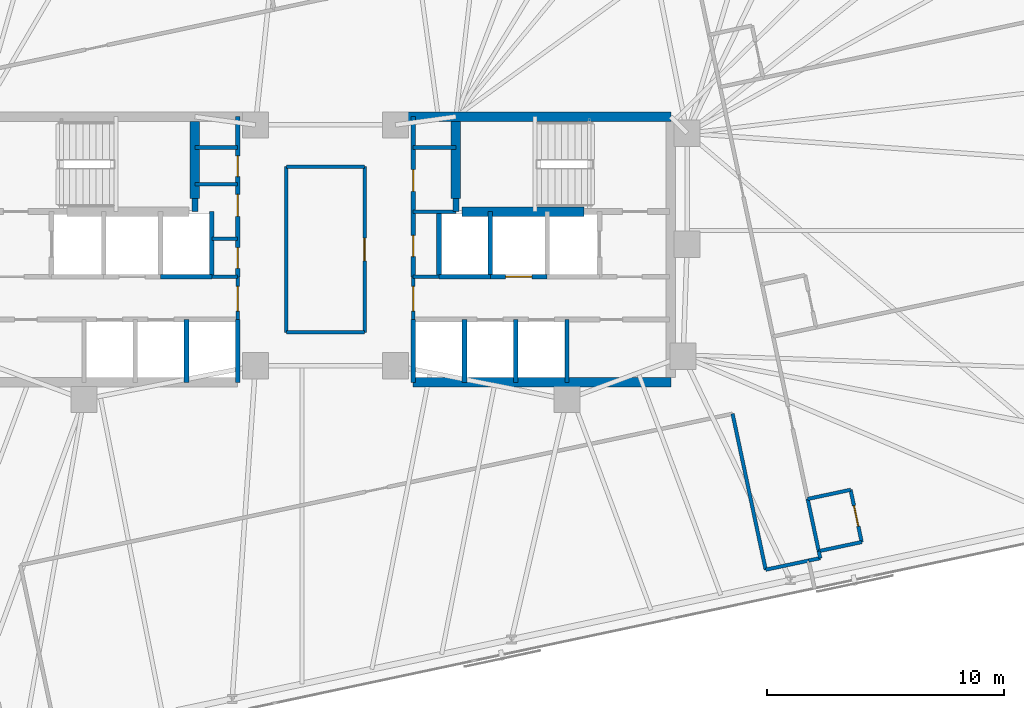
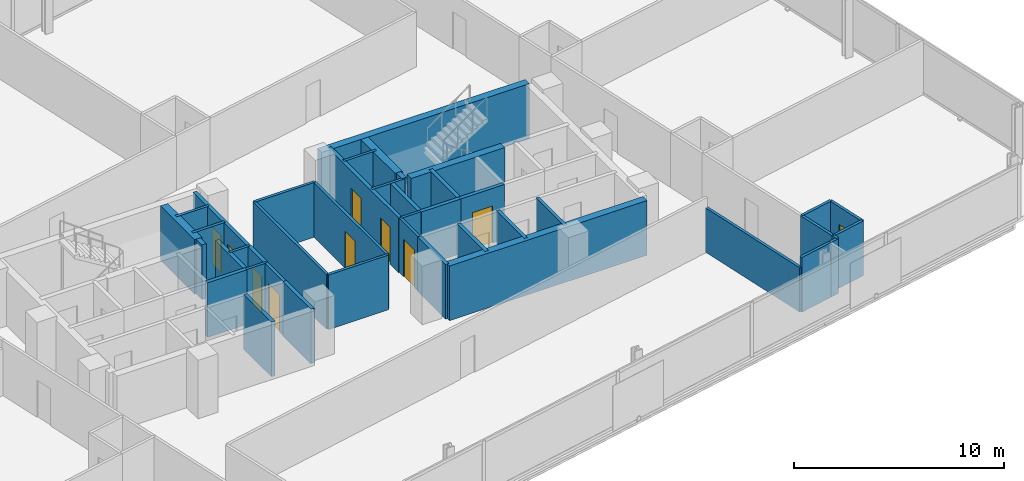
# One storey, part 15 of 19: 42 walls, 10 doors, 10 openings.
"""IFC4 building model written with IfcOpenShell, lengths in metres."""

from ifc_helpers import new_model, si_unit, direction, frame, frame_2d, origin, place, context, subcontext, project, spatial, rectangle, extrude, material, layer, layer_set, type_object, element, fill, save


model = new_model("IFC4")

# Units and contexts
model_context = context("Model", 3, precision=1e-05, world=origin(), true_north=direction((0.0, 1.0)))
body_context = subcontext(model_context, "Body", "Model", "MODEL_VIEW")
ifc_project = project(units=[si_unit("LENGTHUNIT", "METRE"), si_unit("AREAUNIT", "SQUARE_METRE"), si_unit("VOLUMEUNIT", "CUBIC_METRE"), si_unit("PLANEANGLEUNIT", "RADIAN"), si_unit("MASSUNIT", "GRAM", prefix="KILO")], contexts=[model_context])

# Site, building, storey
site_placement = place(None, origin())
site = spatial("IfcSite", under=ifc_project, at=site_placement, CompositionType="ELEMENT")
building_placement = place(site_placement, origin())
building = spatial("IfcBuilding", under=site, at=building_placement, Name="Menara Jurai Vektor", CompositionType="ELEMENT")
storey_placement = place(building_placement, frame((0.0, 0.0, 192.199951171875)))
storey = spatial("IfcBuildingStorey", under=building, at=storey_placement, Name="L50", CompositionType="ELEMENT", Elevation=192.199951171875)

# Walls
ifc_material_1 = material(Name="Concrete C40/50", Category="concrete")
ifc_layer_1 = layer(ifc_material_1, 0.25)
ifc_layer_set_1 = layer_set([ifc_layer_1], Name="Concrete C40/50")
wall_type_1 = type_object("IfcWallType", Name="INT-WALL-CORE-250", PredefinedType="STANDARD", material=ifc_layer_set_1)
for number, where, z_axis, x_axis, name in (
    (1, (-5.5, 1.60009765625, 0.0), (0.0, 0.0, 1.0), (0.0, 1.0, 0.0), "Interior Wall IW-250 L50"),
    (2, (5.5, 1.60009765625, 0.0), (0.0, 0.0, 1.0), (0.0, 1.0, 0.0), "Interior Wall IW-250 L50"),
):
    element("IfcWall", number, at=place(storey_placement, frame(where, z_axis=z_axis, x_axis=x_axis)), inside=storey, type_object=wall_type_1, Name=name, PredefinedType="STANDARD", context=body_context, shape_type="SweptSolid", body=[
        extrude(rectangle(XDim=0.5498046875, YDim=0.25, at=frame_2d((0.27490234375, 0.0))), origin(), (0.0, 0.0, 1.0), 3.175048828125),
    ])

# Wall, opening, door
ifc_material_2 = material(Name="Gypsum Fireboard Partition", Category="gypsum")
ifc_layer_2 = layer(ifc_material_2, 0.14990234375)
ifc_layer_set_2 = layer_set([ifc_layer_2], Name="Gypsum Fireboard Partition")
wall_type_2 = type_object("IfcWallType", Name="INT-WALL-CORR-150", PredefinedType="PARTITIONING", material=ifc_layer_set_2)
wall_1_placement = place(storey_placement, frame((-3.699951171875, -2.949951171875, 0.0), z_axis=(0.0, 0.0, 1.0), x_axis=(0.0, 1.0, 0.0)))
wall_1 = element("IfcWall", 3, at=wall_1_placement, inside=storey, type_object=wall_type_2, Name="Interior Wall IW-150 L50", PredefinedType="PARTITIONING", context=body_context, shape_type="SweptSolid", body=[
    extrude(rectangle(XDim=1.800048828125, YDim=0.14990234375, at=frame_2d((0.89990234375, 0.0))), origin(), (0.0, 0.0, 1.0), 3.175048828125),
])
opening_1_placement = place(wall_1_placement, frame((0.35009765625, 0.0, 0.0)))
opening_1 = element("IfcOpeningElement", 4, at=opening_1_placement, cuts=wall_1, Name="Opening D-L50-LLW", PredefinedType="OPENING", context=body_context, shape_type="SweptSolid", body=[
    extrude(rectangle(XDim=1.050048828125, YDim=2.179931640625, at=frame_2d((0.52490234375, 1.08984375))), frame((0.0, 0.0849609375, 0.0), z_axis=(0.0, -1.0, 0.0), x_axis=(1.0, 0.0, 0.0)), (0.0, 0.0, 1.0), 0.169921875),
])
ifc_material_3 = material(Name="Fire-Rated Timber Door", Category="wood")
door_type_1 = type_object("IfcDoorType", Name="DR-LOBBY-1050", OperationType="NOTDEFINED", PredefinedType="DOOR", material=ifc_material_3)
door_1_placement = place(opening_1_placement, origin())
door_1 = element("IfcDoor", 5, at=door_1_placement, inside=storey, type_object=door_type_1, Name="Lift Lobby Corridor Door W L50", OperationType="SINGLE_SWING_LEFT", OverallHeight=2.179931640625, OverallWidth=1.050048828125, PredefinedType="DOOR", context=body_context, shape_type="SweptSolid", body=[
    extrude(rectangle(XDim=1.050048828125, YDim=2.179931640625, at=frame_2d((0.52490234375, 1.08984375))), frame((0.0, 0.02490234375, 0.0), z_axis=(0.0, -1.0, 0.0), x_axis=(1.0, 0.0, 0.0)), (0.0, 0.0, 1.0), 0.050048828125),
])
fill(opening_1, door_1)

# Wall
wall_2_placement = place(storey_placement, frame((-4.7900390625, -1.14990234375, 0.0), z_axis=(0.0, 0.0, 1.0), x_axis=(1.0, 0.0, 0.0)))
element("IfcWall", 6, at=wall_2_placement, inside=storey, type_object=wall_type_2, Name="Interior Wall IW-150 L50", PredefinedType="PARTITIONING", context=body_context, shape_type="SweptSolid", body=[
    extrude(rectangle(XDim=1.090087890625, YDim=0.14990234375, at=frame_2d((0.544921875, 0.0))), origin(), (0.0, 0.0, 1.0), 3.175048828125),
])

# Wall, opening, door
wall_3_placement = place(storey_placement, frame((3.699951171875, -2.949951171875, 0.0), z_axis=(0.0, 0.0, 1.0), x_axis=(0.0, 1.0, 0.0)))
wall_3 = element("IfcWall", 7, at=wall_3_placement, inside=storey, type_object=wall_type_2, Name="Interior Wall IW-150 L50", PredefinedType="PARTITIONING", context=body_context, shape_type="SweptSolid", body=[
    extrude(rectangle(XDim=1.800048828125, YDim=0.14990234375, at=frame_2d((0.89990234375, 0.0))), origin(), (0.0, 0.0, 1.0), 3.175048828125),
])
opening_2_placement = place(wall_3_placement, frame((0.35009765625, 0.0, 0.0)))
opening_2 = element("IfcOpeningElement", 8, at=opening_2_placement, cuts=wall_3, Name="Opening D-L50-LLE", PredefinedType="OPENING", context=body_context, shape_type="SweptSolid", body=[
    extrude(rectangle(XDim=1.050048828125, YDim=2.179931640625, at=frame_2d((0.52490234375, 1.08984375))), frame((0.0, 0.0849609375, 0.0), z_axis=(0.0, -1.0, 0.0), x_axis=(1.0, 0.0, 0.0)), (0.0, 0.0, 1.0), 0.169921875),
])
door_2_placement = place(opening_2_placement, frame((1.050048828125, 0.0, 0.0), z_axis=(0.0, 0.0, 1.0), x_axis=(-1.0, 0.0, 0.0)))
door_2 = element("IfcDoor", 9, at=door_2_placement, inside=storey, type_object=door_type_1, Name="Lift Lobby Corridor Door E L50", OperationType="SINGLE_SWING_RIGHT", OverallHeight=2.179931640625, OverallWidth=1.050048828125, PredefinedType="DOOR", context=body_context, shape_type="SweptSolid", body=[
    extrude(rectangle(XDim=1.050048828125, YDim=2.179931640625, at=frame_2d((0.52490234375, 1.08984375))), frame((0.0, 0.02490234375, 0.0), z_axis=(0.0, -1.0, 0.0), x_axis=(1.0, 0.0, 0.0)), (0.0, 0.0, 1.0), 0.050048828125),
])
fill(opening_2, door_2)

# Walls
wall_4_placement = place(storey_placement, frame((3.699951171875, -1.14990234375, 0.0), z_axis=(0.0, 0.0, 1.0), x_axis=(1.0, 0.0, 0.0)))
element("IfcWall", 10, at=wall_4_placement, inside=storey, type_object=wall_type_2, Name="Interior Wall IW-150 L50", PredefinedType="PARTITIONING", context=body_context, shape_type="SweptSolid", body=[
    extrude(rectangle(XDim=1.090087890625, YDim=0.14990234375, at=frame_2d((0.544921875, 0.0))), origin(), (0.0, 0.0, 1.0), 3.175048828125),
])
wall_5_placement = place(storey_placement, frame((-5.5, 4.300048828125, 0.0), z_axis=(0.0, 0.0, 1.0), x_axis=(1.0, 0.0, 0.0)))
element("IfcWall", 11, at=wall_5_placement, inside=storey, type_object=wall_type_2, Name="Interior Wall IW-150 L50", PredefinedType="PARTITIONING", context=body_context, shape_type="SweptSolid", body=[
    extrude(rectangle(XDim=1.800048828125, YDim=0.14990234375, at=frame_2d((0.89990234375, 0.0))), origin(), (0.0, 0.0, 1.0), 3.175048828125),
])
wall_6_placement = place(storey_placement, frame((-4.7900390625, 0.449951171875, 0.0), z_axis=(0.0, 0.0, 1.0), x_axis=(1.0, 0.0, 0.0)))
element("IfcWall", 12, at=wall_6_placement, inside=storey, type_object=wall_type_2, Name="Interior Wall IW-150 L50", PredefinedType="PARTITIONING", context=body_context, shape_type="SweptSolid", body=[
    extrude(rectangle(XDim=1.090087890625, YDim=0.14990234375, at=frame_2d((0.544921875, 0.0))), origin(), (0.0, 0.0, 1.0), 3.175048828125),
])
for number, where, z_axis, x_axis, name in (
    (13, (-5.5, 2.75, 0.0), (0.0, 0.0, 1.0), (1.0, 0.0, 0.0), "Interior Wall IW-150 L50"),
    (14, (3.699951171875, 4.300048828125, 0.0), (0.0, 0.0, 1.0), (1.0, 0.0, 0.0), "Interior Wall IW-150 L50"),
    (15, (3.699951171875, 1.60009765625, 0.0), (0.0, 0.0, 1.0), (1.0, 0.0, 0.0), "Interior Wall IW-150 L50"),
):
    element("IfcWall", number, at=place(storey_placement, frame(where, z_axis=z_axis, x_axis=x_axis)), inside=storey, type_object=wall_type_2, Name=name, PredefinedType="PARTITIONING", context=body_context, shape_type="SweptSolid", body=[
        extrude(rectangle(XDim=1.800048828125, YDim=0.14990234375, at=frame_2d((0.89990234375, 0.0))), origin(), (0.0, 0.0, 1.0), 3.175048828125),
    ])
wall_7_placement = place(storey_placement, frame((-1.64990234375, -3.489501953125, 0.0), z_axis=(0.0, 0.0, 1.0), x_axis=(-3.4979712e-05, 0.999999999388, 0.0)))
element("IfcWall", 16, at=wall_7_placement, inside=storey, type_object=wall_type_2, Name="Interior Wall IW-150 L50", PredefinedType="PARTITIONING", context=body_context, shape_type="SweptSolid", body=[
    extrude(rectangle(XDim=6.9794921875, YDim=0.14990234375, at=frame_2d((3.48974609375, 0.0))), origin(), (0.0, 0.0, 1.0), 3.175048828125),
])
wall_8_placement = place(storey_placement, frame((-1.64990234375, -3.489501953125, 0.0), z_axis=(0.0, 0.0, 1.0), x_axis=(0.999999975374, -0.000221926315, 0.0)))
element("IfcWall", 17, at=wall_8_placement, inside=storey, type_object=wall_type_2, Name="Interior Wall IW-150 L50", PredefinedType="PARTITIONING", context=body_context, shape_type="SweptSolid", body=[
    extrude(rectangle(XDim=3.30029296875, YDim=0.14990234375, at=frame_2d((1.650146484375, 0.0))), origin(), (0.0, 0.0, 1.0), 3.175048828125),
])
wall_9_placement = place(storey_placement, frame((-1.650146484375, 3.489990234375, 0.0), z_axis=(0.0, 0.0, 1.0), x_axis=(1.0, 0.0, 0.0)))
element("IfcWall", 18, at=wall_9_placement, inside=storey, type_object=wall_type_2, Name="Interior Wall IW-150 L50", PredefinedType="PARTITIONING", context=body_context, shape_type="SweptSolid", body=[
    extrude(rectangle(XDim=3.300048828125, YDim=0.14990234375, at=frame_2d((1.64990234375, 0.0))), origin(), (0.0, 0.0, 1.0), 3.175048828125),
])

# Wall, opening, door
wall_10_placement = place(storey_placement, frame((1.650390625, -3.490234375, 0.0), z_axis=(0.0, 0.0, 1.0), x_axis=(-6.9952083e-05, 0.999999997553, 0.0)))
wall_10 = element("IfcWall", 19, at=wall_10_placement, inside=storey, type_object=wall_type_2, Name="Interior Wall IW-150 L50", PredefinedType="PARTITIONING", context=body_context, shape_type="SweptSolid", body=[
    extrude(rectangle(XDim=6.980224609375, YDim=0.14990234375, at=frame_2d((3.490234375, 0.0))), origin(), (0.0, 0.0, 1.0), 3.175048828125),
])
opening_3_placement = place(wall_10_placement, frame((3.01513671875, 0.0, 0.0)))
opening_3 = element("IfcOpeningElement", 20, at=opening_3_placement, cuts=wall_10, Name="Opening D50-08", PredefinedType="OPENING", context=body_context, shape_type="SweptSolid", body=[
    extrude(rectangle(XDim=0.949951171875, YDim=2.14990234375, at=frame_2d((0.47509765625, 1.074951171875))), frame((0.0, 0.0849609375, 0.0), z_axis=(0.0, -1.0, 0.0), x_axis=(1.0, 0.0, 0.0)), (0.0, 0.0, 1.0), 0.169921875),
])
ifc_material_4 = material(Name="Solid Core Timber Fire Door", Category="wood")
door_type_2 = type_object("IfcDoorType", Name="DR-ENTRY-950", OperationType="NOTDEFINED", PredefinedType="DOOR", material=ifc_material_4)
door_3_placement = place(opening_3_placement, origin())
door_3 = element("IfcDoor", 21, at=door_3_placement, inside=storey, type_object=door_type_2, Name="Interior Door D50-08", OperationType="SINGLE_SWING_LEFT", OverallHeight=2.14990234375, OverallWidth=0.949951171875, PredefinedType="DOOR", context=body_context, shape_type="SweptSolid", body=[
    extrude(rectangle(XDim=0.949951171875, YDim=2.14990234375, at=frame_2d((0.47509765625, 1.074951171875))), frame((0.0, 0.02490234375, 0.0), z_axis=(0.0, -1.0, 0.0), x_axis=(1.0, 0.0, 0.0)), (0.0, 0.0, 1.0), 0.050048828125),
])
fill(opening_3, door_3)

# Walls
wall_11_placement = place(storey_placement, frame((18.5595703125, -13.498291015625, 0.0), z_axis=(0.0, 0.0, 1.0), x_axis=(0.978160192495, 0.207852442415, 0.0)))
element("IfcWall", 22, at=wall_11_placement, inside=storey, type_object=wall_type_2, Name="Interior Wall IW-150 L50", PredefinedType="PARTITIONING", context=body_context, shape_type="SweptSolid", body=[
    extrude(rectangle(XDim=1.849853515625, YDim=0.14990234375, at=frame_2d((0.9248046875, 0.0))), origin(), (0.0, 0.0, 1.0), 3.175048828125),
])
wall_12_placement = place(storey_placement, frame((20.369140625, -13.11376953125, 0.0), z_axis=(0.0, 0.0, 1.0), x_axis=(0.978143962546, 0.207928806409, 0.0)))
element("IfcWall", 23, at=wall_12_placement, inside=storey, type_object=wall_type_2, Name="Interior Wall IW-150 L50", PredefinedType="PARTITIONING", context=body_context, shape_type="SweptSolid", body=[
    extrude(rectangle(XDim=0.500244140625, YDim=0.14990234375, at=frame_2d((0.25, 0.0))), origin(), (0.0, 0.0, 1.0), 3.175048828125),
])
wall_13_placement = place(storey_placement, frame((20.8583984375, -13.009765625, 0.0), z_axis=(0.0, 0.0, 1.0), x_axis=(-0.208306395052, 0.978063620518, 0.0)))
element("IfcWall", 24, at=wall_13_placement, inside=storey, type_object=wall_type_2, Name="Interior Wall IW-150 L50", PredefinedType="PARTITIONING", context=body_context, shape_type="SweptSolid", body=[
    extrude(rectangle(XDim=0.300048828125, YDim=0.14990234375, at=frame_2d((0.14990234375, 0.0))), origin(), (0.0, 0.0, 1.0), 3.175048828125),
])
wall_14_placement = place(storey_placement, frame((20.7958984375, -12.71630859375, 0.0), z_axis=(0.0, 0.0, 1.0), x_axis=(-0.207891197838, 0.978151956427, 0.0)))
element("IfcWall", 25, at=wall_14_placement, inside=storey, type_object=wall_type_2, Name="Interior Wall IW-150 L50", PredefinedType="PARTITIONING", context=body_context, shape_type="SweptSolid", body=[
    extrude(rectangle(XDim=2.25, YDim=0.14990234375, at=frame_2d((1.125, 0.0))), origin(), (0.0, 0.0, 1.0), 3.175048828125),
])
for number, where, z_axis, x_axis, name in (
    (26, (20.7958984375, -12.71630859375, 0.0), (0.0, 0.0, 1.0), (0.978160192495, 0.207852442415, 0.0), "Interior Wall IW-150 L50"),
    (27, (20.328125, -10.515380859375, 0.0), (0.0, 0.0, 1.0), (0.978160192495, 0.207852442415, 0.0), "Interior Wall IW-150 L50"),
):
    element("IfcWall", number, at=place(storey_placement, frame(where, z_axis=z_axis, x_axis=x_axis)), inside=storey, type_object=wall_type_2, Name=name, PredefinedType="PARTITIONING", context=body_context, shape_type="SweptSolid", body=[
        extrude(rectangle(XDim=1.849853515625, YDim=0.14990234375, at=frame_2d((0.9248046875, 0.0))), origin(), (0.0, 0.0, 1.0), 3.175048828125),
    ])

# Wall, opening, door
wall_15_placement = place(storey_placement, frame((22.60546875, -12.331787109375, 0.0), z_axis=(0.0, 0.0, 1.0), x_axis=(-0.207891197838, 0.978151956427, 0.0)))
wall_15 = element("IfcWall", 28, at=wall_15_placement, inside=storey, type_object=wall_type_2, Name="Interior Wall IW-150 L50", PredefinedType="PARTITIONING", context=body_context, shape_type="SweptSolid", body=[
    extrude(rectangle(XDim=2.25, YDim=0.14990234375, at=frame_2d((1.125, 0.0))), origin(), (0.0, 0.0, 1.0), 3.175048828125),
])
opening_4_placement = place(wall_15_placement, frame((0.68505859375, 0.0, 0.0)))
opening_4 = element("IfcOpeningElement", 29, at=opening_4_placement, cuts=wall_15, Name="Opening D50-22", PredefinedType="OPENING", context=body_context, shape_type="SweptSolid", body=[
    extrude(rectangle(XDim=0.8798828125, YDim=2.14990234375, at=frame_2d((0.43994140625, 1.074951171875))), frame((0.0, 0.0849609375, 0.0), z_axis=(0.0, -1.0, 0.0), x_axis=(1.0, 0.0, 0.0)), (0.0, 0.0, 1.0), 0.169921875),
])
ifc_material_5 = material(Name="Moisture-Resistant Timber Door", Category="wood")
door_type_3 = type_object("IfcDoorType", Name="DR-BATH-880", OperationType="NOTDEFINED", PredefinedType="DOOR", material=ifc_material_5)
door_4_placement = place(opening_4_placement, origin())
door_4 = element("IfcDoor", 30, at=door_4_placement, inside=storey, type_object=door_type_3, Name="Interior Door D50-22", OperationType="SINGLE_SWING_LEFT", OverallHeight=2.14990234375, OverallWidth=0.8798828125, PredefinedType="DOOR", context=body_context, shape_type="SweptSolid", body=[
    extrude(rectangle(XDim=0.8798828125, YDim=2.14990234375, at=frame_2d((0.43994140625, 1.074951171875))), frame((0.0, 0.02490234375, 0.0), z_axis=(0.0, -1.0, 0.0), x_axis=(1.0, 0.0, 0.0)), (0.0, 0.0, 1.0), 0.050048828125),
])
fill(opening_4, door_4)

# Wall
ifc_layer_3 = layer(ifc_material_2, 0.14990234375)
ifc_layer_set_3 = layer_set([ifc_layer_3], Name="Gypsum Fireboard Partition")
wall_type_3 = type_object("IfcWallType", Name="INT-WALL-CORR-150-H2", PredefinedType="PARTITIONING", material=ifc_layer_set_3)
wall_16_placement = place(storey_placement, frame((18.5595703125, -13.498291015625, 0.0), z_axis=(0.0, 0.0, 1.0), x_axis=(-0.207888737749, 0.978152479278, 0.0)))
element("IfcWall", 31, at=wall_16_placement, inside=storey, type_object=wall_type_3, Name="Interior Wall IW-150 L50", PredefinedType="PARTITIONING", context=body_context, shape_type="SweptSolid", body=[
    extrude(rectangle(XDim=6.7197265625, YDim=0.14990234375, at=frame_2d((3.35986328125, 0.0))), origin(), (0.0, 0.0, 1.0), 2.574951171875),
])

# Wall, openings, doors
ifc_layer_4 = layer(ifc_material_1, 0.199951171875)
ifc_layer_set_4 = layer_set([ifc_layer_4], Name="Concrete C40/50")
wall_type_4 = type_object("IfcWallType", Name="INT-WALL-SHAFT-200", PredefinedType="STANDARD", material=ifc_layer_set_4)
wall_17_placement = place(storey_placement, frame((-3.699951171875, -1.14990234375, 0.0), z_axis=(0.0, 0.0, 1.0), x_axis=(0.0, 1.0, 0.0)))
wall_17 = element("IfcWall", 32, at=wall_17_placement, inside=storey, type_object=wall_type_4, Name="Interior Wall IW-200 L50", PredefinedType="STANDARD", context=body_context, shape_type="SweptSolid", body=[
    extrude(rectangle(XDim=6.75, YDim=0.199951171875, at=frame_2d((3.375, 0.0))), origin(), (0.0, 0.0, 1.0), 3.175048828125),
])
opening_5_placement = place(wall_17_placement, frame((0.35009765625, 0.0, 0.0)))
opening_5 = element("IfcOpeningElement", 33, at=opening_5_placement, cuts=wall_17, Name="Opening D50-02", PredefinedType="OPENING", context=body_context, shape_type="SweptSolid", body=[
    extrude(rectangle(XDim=0.8798828125, YDim=2.14990234375, at=frame_2d((0.43994140625, 1.074951171875))), frame((0.0, 0.10986328125, 0.0), z_axis=(0.0, -1.0, 0.0), x_axis=(1.0, 0.0, 0.0)), (0.0, 0.0, 1.0), 0.219970703125),
])
opening_6_placement = place(wall_17_placement, frame((2.550048828125, 0.0, 0.0)))
opening_6 = element("IfcOpeningElement", 34, at=opening_6_placement, cuts=wall_17, Name="Opening D50-03", PredefinedType="OPENING", context=body_context, shape_type="SweptSolid", body=[
    extrude(rectangle(XDim=0.919921875, YDim=2.14990234375, at=frame_2d((0.4599609375, 1.074951171875))), frame((0.0, 0.10986328125, 0.0), z_axis=(0.0, -1.0, 0.0), x_axis=(1.0, 0.0, 0.0)), (0.0, 0.0, 1.0), 0.219970703125),
])
opening_7_placement = place(wall_17_placement, frame((4.219970703125, 0.0, 0.0)))
opening_7 = element("IfcOpeningElement", 35, at=opening_7_placement, cuts=wall_17, Name="Opening D50-04", PredefinedType="OPENING", context=body_context, shape_type="SweptSolid", body=[
    extrude(rectangle(XDim=0.8798828125, YDim=2.14990234375, at=frame_2d((0.43994140625, 1.074951171875))), frame((0.0, 0.10986328125, 0.0), z_axis=(0.0, -1.0, 0.0), x_axis=(1.0, 0.0, 0.0)), (0.0, 0.0, 1.0), 0.219970703125),
])
door_5_placement = place(opening_5_placement, origin())
door_5 = element("IfcDoor", 36, at=door_5_placement, inside=storey, type_object=door_type_2, Name="Interior Door D50-02", OperationType="SINGLE_SWING_LEFT", OverallHeight=2.14990234375, OverallWidth=0.8798828125, PredefinedType="DOOR", context=body_context, shape_type="SweptSolid", body=[
    extrude(rectangle(XDim=0.8798828125, YDim=2.14990234375, at=frame_2d((0.43994140625, 1.074951171875))), frame((0.0, 0.02490234375, 0.0), z_axis=(0.0, -1.0, 0.0), x_axis=(1.0, 0.0, 0.0)), (0.0, 0.0, 1.0), 0.050048828125),
])
fill(opening_5, door_5)
door_6_placement = place(opening_6_placement, origin())
door_6 = element("IfcDoor", 37, at=door_6_placement, inside=storey, type_object=door_type_2, Name="Interior Door D50-03", OperationType="SINGLE_SWING_LEFT", OverallHeight=2.14990234375, OverallWidth=0.919921875, PredefinedType="DOOR", context=body_context, shape_type="SweptSolid", body=[
    extrude(rectangle(XDim=0.919921875, YDim=2.14990234375, at=frame_2d((0.4599609375, 1.074951171875))), frame((0.0, 0.02490234375, 0.0), z_axis=(0.0, -1.0, 0.0), x_axis=(1.0, 0.0, 0.0)), (0.0, 0.0, 1.0), 0.050048828125),
])
fill(opening_6, door_6)
door_7_placement = place(opening_7_placement, origin())
door_7 = element("IfcDoor", 38, at=door_7_placement, inside=storey, type_object=door_type_2, Name="Interior Door D50-04", OperationType="SINGLE_SWING_LEFT", OverallHeight=2.14990234375, OverallWidth=0.8798828125, PredefinedType="DOOR", context=body_context, shape_type="SweptSolid", body=[
    extrude(rectangle(XDim=0.8798828125, YDim=2.14990234375, at=frame_2d((0.43994140625, 1.074951171875))), frame((0.0, 0.02490234375, 0.0), z_axis=(0.0, -1.0, 0.0), x_axis=(1.0, 0.0, 0.0)), (0.0, 0.0, 1.0), 0.050048828125),
])
fill(opening_7, door_7)

# Walls
wall_18_placement = place(storey_placement, frame((-3.699951171875, -5.60009765625, 0.0), z_axis=(0.0, 0.0, 1.0), x_axis=(0.0, 1.0, 0.0)))
element("IfcWall", 39, at=wall_18_placement, inside=storey, type_object=wall_type_4, Name="Interior Wall IW-200 L50", PredefinedType="STANDARD", context=body_context, shape_type="SweptSolid", body=[
    extrude(rectangle(XDim=2.650146484375, YDim=0.199951171875, at=frame_2d((1.3251953125, 0.0))), origin(), (0.0, 0.0, 1.0), 3.175048828125),
])
wall_19_placement = place(storey_placement, frame((-4.7900390625, -1.14990234375, 0.0), z_axis=(0.0, 0.0, 1.0), x_axis=(0.0, 1.0, 0.0)))
element("IfcWall", 40, at=wall_19_placement, inside=storey, type_object=wall_type_4, Name="Interior Wall IW-200 L50", PredefinedType="STANDARD", context=body_context, shape_type="SweptSolid", body=[
    extrude(rectangle(XDim=2.75, YDim=0.199951171875, at=frame_2d((1.375, 0.0))), origin(), (0.0, 0.0, 1.0), 3.175048828125),
])
wall_20_placement = place(storey_placement, frame((-6.949951171875, -1.14990234375, 0.0), z_axis=(0.0, 0.0, 1.0), x_axis=(1.0, 0.0, 0.0)))
element("IfcWall", 41, at=wall_20_placement, inside=storey, type_object=wall_type_4, Name="Interior Wall IW-200 L50", PredefinedType="STANDARD", context=body_context, shape_type="SweptSolid", body=[
    extrude(rectangle(XDim=2.159912109375, YDim=0.199951171875, at=frame_2d((1.080078125, 0.0))), origin(), (0.0, 0.0, 1.0), 3.175048828125),
])
wall_21_placement = place(storey_placement, frame((-5.860107421875, -5.60009765625, 0.0), z_axis=(0.0, 0.0, 1.0), x_axis=(0.0, 1.0, 0.0)))
element("IfcWall", 42, at=wall_21_placement, inside=storey, type_object=wall_type_4, Name="Interior Wall IW-200 L50", PredefinedType="STANDARD", context=body_context, shape_type="SweptSolid", body=[
    extrude(rectangle(XDim=2.650146484375, YDim=0.199951171875, at=frame_2d((1.3251953125, 0.0))), origin(), (0.0, 0.0, 1.0), 3.175048828125),
])

# Wall, openings, doors
wall_22_placement = place(storey_placement, frame((3.699951171875, -1.14990234375, 0.0), z_axis=(0.0, 0.0, 1.0), x_axis=(0.0, 1.0, 0.0)))
wall_22 = element("IfcWall", 43, at=wall_22_placement, inside=storey, type_object=wall_type_4, Name="Interior Wall IW-200 L50", PredefinedType="STANDARD", context=body_context, shape_type="SweptSolid", body=[
    extrude(rectangle(XDim=6.75, YDim=0.199951171875, at=frame_2d((3.375, 0.0))), origin(), (0.0, 0.0, 1.0), 3.175048828125),
])
opening_8_placement = place(wall_22_placement, frame((3.60009765625, 0.0, 0.0)))
opening_8 = element("IfcOpeningElement", 44, at=opening_8_placement, cuts=wall_22, Name="Opening D50-06", PredefinedType="OPENING", context=body_context, shape_type="SweptSolid", body=[
    extrude(rectangle(XDim=0.919921875, YDim=2.14990234375, at=frame_2d((0.4599609375, 1.074951171875))), frame((0.0, 0.10986328125, 0.0), z_axis=(0.0, -1.0, 0.0), x_axis=(1.0, 0.0, 0.0)), (0.0, 0.0, 1.0), 0.219970703125),
])
opening_9_placement = place(wall_22_placement, frame((0.85009765625, 0.0, 0.0)))
opening_9 = element("IfcOpeningElement", 45, at=opening_9_placement, cuts=wall_22, Name="Opening D50-07", PredefinedType="OPENING", context=body_context, shape_type="SweptSolid", body=[
    extrude(rectangle(XDim=0.89990234375, YDim=2.14990234375, at=frame_2d((0.449951171875, 1.074951171875))), frame((0.0, 0.10986328125, 0.0), z_axis=(0.0, -1.0, 0.0), x_axis=(1.0, 0.0, 0.0)), (0.0, 0.0, 1.0), 0.219970703125),
])
door_8_placement = place(opening_8_placement, origin())
door_8 = element("IfcDoor", 46, at=door_8_placement, inside=storey, type_object=door_type_2, Name="Interior Door D50-06", OperationType="SINGLE_SWING_RIGHT", OverallHeight=2.14990234375, OverallWidth=0.919921875, PredefinedType="DOOR", context=body_context, shape_type="SweptSolid", body=[
    extrude(rectangle(XDim=0.919921875, YDim=2.14990234375, at=frame_2d((0.4599609375, 1.074951171875))), frame((0.0, 0.02490234375, 0.0), z_axis=(0.0, -1.0, 0.0), x_axis=(1.0, 0.0, 0.0)), (0.0, 0.0, 1.0), 0.050048828125),
])
fill(opening_8, door_8)
door_9_placement = place(opening_9_placement, origin())
door_9 = element("IfcDoor", 47, at=door_9_placement, inside=storey, type_object=door_type_2, Name="Interior Door D50-07", OperationType="SINGLE_SWING_RIGHT", OverallHeight=2.14990234375, OverallWidth=0.89990234375, PredefinedType="DOOR", context=body_context, shape_type="SweptSolid", body=[
    extrude(rectangle(XDim=0.89990234375, YDim=2.14990234375, at=frame_2d((0.449951171875, 1.074951171875))), frame((0.0, 0.02490234375, 0.0), z_axis=(0.0, -1.0, 0.0), x_axis=(1.0, 0.0, 0.0)), (0.0, 0.0, 1.0), 0.050048828125),
])
fill(opening_9, door_9)

# Walls
wall_23_placement = place(storey_placement, frame((3.699951171875, -5.60009765625, 0.0), z_axis=(0.0, 0.0, 1.0), x_axis=(0.0, 1.0, 0.0)))
element("IfcWall", 48, at=wall_23_placement, inside=storey, type_object=wall_type_4, Name="Interior Wall IW-200 L50", PredefinedType="STANDARD", context=body_context, shape_type="SweptSolid", body=[
    extrude(rectangle(XDim=2.650146484375, YDim=0.199951171875, at=frame_2d((1.3251953125, 0.0))), origin(), (0.0, 0.0, 1.0), 3.175048828125),
])
wall_24_placement = place(storey_placement, frame((6.949951171875, -1.14990234375, 0.0), z_axis=(0.0, 0.0, 1.0), x_axis=(0.0, 1.0, 0.0)))
element("IfcWall", 49, at=wall_24_placement, inside=storey, type_object=wall_type_4, Name="Interior Wall IW-200 L50", PredefinedType="STANDARD", context=body_context, shape_type="SweptSolid", body=[
    extrude(rectangle(XDim=2.75, YDim=0.199951171875, at=frame_2d((1.375, 0.0))), origin(), (0.0, 0.0, 1.0), 3.175048828125),
])

# Wall, opening, door
wall_25_placement = place(storey_placement, frame((6.949951171875, -1.14990234375, 0.0), z_axis=(0.0, 0.0, 1.0), x_axis=(1.0, 0.0, 0.0)))
wall_25 = element("IfcWall", 50, at=wall_25_placement, inside=storey, type_object=wall_type_4, Name="Interior Wall IW-200 L50", PredefinedType="STANDARD", context=body_context, shape_type="SweptSolid", body=[
    extrude(rectangle(XDim=2.400146484375, YDim=0.199951171875, at=frame_2d((1.2001953125, 0.0))), origin(), (0.0, 0.0, 1.0), 3.175048828125),
])
opening_10_placement = place(wall_25_placement, frame((0.64990234375, 0.0, 0.0)))
opening_10 = element("IfcOpeningElement", 51, at=opening_10_placement, cuts=wall_25, Name="Opening LD-L50-SVL2", PredefinedType="OPENING", context=body_context, shape_type="SweptSolid", body=[
    extrude(rectangle(XDim=1.10009765625, YDim=2.14990234375, at=frame_2d((0.550048828125, 1.074951171875))), frame((0.0, 0.10986328125, 0.0), z_axis=(0.0, -1.0, 0.0), x_axis=(1.0, 0.0, 0.0)), (0.0, 0.0, 1.0), 0.219970703125),
])
ifc_material_6 = material(Name="Anodised Stainless Sliding Lift Landing Door", Category="steel")
door_type_4 = type_object("IfcDoorType", Name="DR-LIFT-PASS-1100", OperationType="NOTDEFINED", PredefinedType="DOOR", material=ifc_material_6)
door_10_placement = place(opening_10_placement, origin())
door_10 = element("IfcDoor", 52, at=door_10_placement, inside=storey, type_object=door_type_4, Name="Lift Landing Door SVL2 L50", OperationType="SLIDING_TO_RIGHT", OverallHeight=2.14990234375, OverallWidth=1.10009765625, PredefinedType="DOOR", context=body_context, shape_type="SweptSolid", body=[
    extrude(rectangle(XDim=1.10009765625, YDim=2.14990234375, at=frame_2d((0.550048828125, 1.074951171875))), frame((0.0, 0.02490234375, 0.0), z_axis=(0.0, -1.0, 0.0), x_axis=(1.0, 0.0, 0.0)), (0.0, 0.0, 1.0), 0.050048828125),
])
fill(opening_10, door_10)

# Walls
wall_26_placement = place(storey_placement, frame((4.7900390625, -1.14990234375, 0.0), z_axis=(0.0, 0.0, 1.0), x_axis=(0.0, 1.0, 0.0)))
element("IfcWall", 53, at=wall_26_placement, inside=storey, type_object=wall_type_4, Name="Interior Wall IW-200 L50", PredefinedType="STANDARD", context=body_context, shape_type="SweptSolid", body=[
    extrude(rectangle(XDim=2.75, YDim=0.199951171875, at=frame_2d((1.375, 0.0))), origin(), (0.0, 0.0, 1.0), 3.175048828125),
])
wall_27_placement = place(storey_placement, frame((4.7900390625, -1.14990234375, 0.0), z_axis=(0.0, 0.0, 1.0), x_axis=(1.0, 0.0, 0.0)))
element("IfcWall", 54, at=wall_27_placement, inside=storey, type_object=wall_type_4, Name="Interior Wall IW-200 L50", PredefinedType="STANDARD", context=body_context, shape_type="SweptSolid", body=[
    extrude(rectangle(XDim=2.159912109375, YDim=0.199951171875, at=frame_2d((1.080078125, 0.0))), origin(), (0.0, 0.0, 1.0), 3.175048828125),
])
wall_28_placement = place(storey_placement, frame((5.860107421875, -5.60009765625, 0.0), z_axis=(0.0, 0.0, 1.0), x_axis=(0.0, 1.0, 0.0)))
element("IfcWall", 55, at=wall_28_placement, inside=storey, type_object=wall_type_4, Name="Interior Wall IW-200 L50", PredefinedType="STANDARD", context=body_context, shape_type="SweptSolid", body=[
    extrude(rectangle(XDim=2.650146484375, YDim=0.199951171875, at=frame_2d((1.3251953125, 0.0))), origin(), (0.0, 0.0, 1.0), 3.175048828125),
])
for number, where, z_axis, x_axis, name in (
    (56, (10.179931640625, -5.60009765625, 0.0), (0.0, 0.0, 1.0), (0.0, 1.0, 0.0), "Interior Wall IW-200 L50"),
    (57, (8.02001953125, -5.60009765625, 0.0), (0.0, 0.0, 1.0), (0.0, 1.0, 0.0), "Interior Wall IW-200 L50"),
):
    element("IfcWall", number, at=place(storey_placement, frame(where, z_axis=z_axis, x_axis=x_axis)), inside=storey, type_object=wall_type_4, Name=name, PredefinedType="STANDARD", context=body_context, shape_type="SweptSolid", body=[
        extrude(rectangle(XDim=2.650146484375, YDim=0.179931640625, at=frame_2d((1.3251953125, 0.0))), origin(), (0.0, 0.0, 1.0), 3.175048828125),
    ])
ifc_material_7 = material(Name="Concrete C50/60", Category="concrete")
ifc_layer_5 = layer(ifc_material_7, 0.39990234375)
ifc_layer_set_5 = layer_set([ifc_layer_5], Name="Concrete C50/60")
wall_type_5 = type_object("IfcWallType", Name="STR-WALL-CORE400", PredefinedType="SHEAR", material=ifc_layer_set_5)
wall_29_placement = place(storey_placement, frame((-5.5, 2.14990234375, 0.0), z_axis=(0.0, 0.0, 1.0), x_axis=(0.0, 1.0, 0.0)))
element("IfcWall", 58, at=wall_29_placement, inside=storey, type_object=wall_type_5, Name="Core Shear Wall CW-W-ST L50", PredefinedType="SHEAR", context=body_context, shape_type="SweptSolid", body=[
    extrude(rectangle(XDim=3.25, YDim=0.39990234375, at=frame_2d((1.625, 0.0))), origin(), (0.0, 0.0, 1.0), 3.175048828125),
])
wall_30_placement = place(storey_placement, frame((3.14990234375, 5.60009765625, 0.0), z_axis=(0.0, 0.0, 1.0), x_axis=(1.0, 0.0, 0.0)))
element("IfcWall", 59, at=wall_30_placement, inside=storey, type_object=wall_type_5, Name="Core Shear Wall CW-E-N L50", PredefinedType="SHEAR", context=body_context, shape_type="SweptSolid", body=[
    extrude(rectangle(XDim=11.41015625, YDim=0.39990234375, at=frame_2d((5.705078125, 0.0))), origin(), (0.0, 0.0, 1.0), 3.175048828125),
])
wall_31_placement = place(storey_placement, frame((3.699951171875, -5.60009765625, 0.0), z_axis=(0.0, 0.0, 1.0), x_axis=(1.0, 0.0, 0.0)))
element("IfcWall", 60, at=wall_31_placement, inside=storey, type_object=wall_type_5, Name="Core Shear Wall CW-E-S L50", PredefinedType="SHEAR", context=body_context, shape_type="SweptSolid", body=[
    extrude(rectangle(XDim=10.860107421875, YDim=0.39990234375, at=frame_2d((5.43017578125, 0.0))), origin(), (0.0, 0.0, 1.0), 3.175048828125),
])
wall_32_placement = place(storey_placement, frame((5.5, 2.14990234375, 0.0), z_axis=(0.0, 0.0, 1.0), x_axis=(0.0, 1.0, 0.0)))
element("IfcWall", 61, at=wall_32_placement, inside=storey, type_object=wall_type_5, Name="Core Shear Wall CW-E-ST L50", PredefinedType="SHEAR", context=body_context, shape_type="SweptSolid", body=[
    extrude(rectangle(XDim=3.25, YDim=0.39990234375, at=frame_2d((1.625, 0.0))), origin(), (0.0, 0.0, 1.0), 3.175048828125),
])
wall_33_placement = place(storey_placement, frame((5.75, 1.60009765625, 0.0), z_axis=(0.0, 0.0, 1.0), x_axis=(1.0, 0.0, 0.0)))
element("IfcWall", 62, at=wall_33_placement, inside=storey, type_object=wall_type_5, Name="Core Shear Wall CW-E-STS L50", PredefinedType="SHEAR", context=body_context, shape_type="SweptSolid", body=[
    extrude(rectangle(XDim=5.14990234375, YDim=0.39990234375, at=frame_2d((2.574951171875, 0.0))), origin(), (0.0, 0.0, 1.0), 3.175048828125),
])

save(model, "model.ifc")
